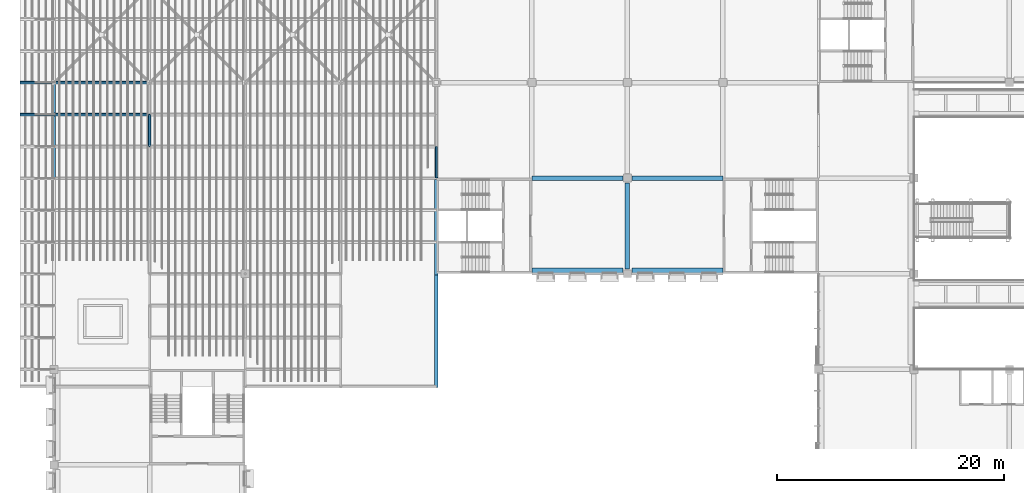
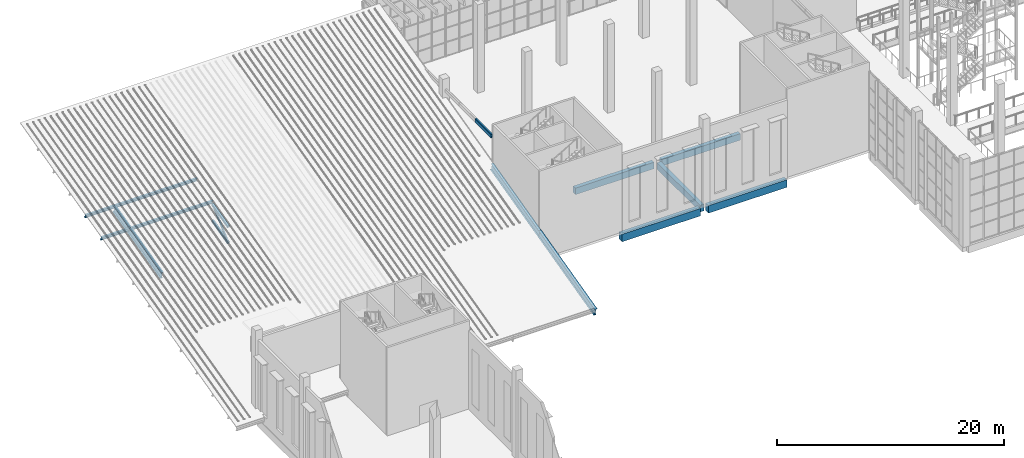
# One storey, part 9 of 114: 8 beams, 8 members.
"""IFC4 building model written with IfcOpenShell, lengths in metres."""

import ifcopenshell
import ifcopenshell.guid

model = None  # the IFC model being written
_history = None  # IfcOwnerHistory: only IFC2X3 demands one
_inside = {}  # id of a spatial element -> (the spatial element, [elements in it])
_under = {}  # id of a project, library or spatial element -> (it, [spatial elements below it])
_declared = {}  # id of a project -> (the project, [libraries it declares])
_typed = {}  # id of a type object -> (the type object, [elements of that type])
_made_of = {}  # id of a material, layer set ... -> (it, [elements and type objects made of it])


def new_model(schema):
    """Start an empty IFC model of exactly this schema.

    Asked for "IFC4X3", IfcOpenShell would pick the latest addendum, in which some entities
    have other attributes; the version numbers below select the first issue.
    IFC2X3 requires an IfcOwnerHistory on every rooted entity: one is made here for all.
    """
    global model, _history
    if schema == "IFC4X3":
        model = ifcopenshell.file(schema_version=(4, 3, 0, 0))
    else:
        model = ifcopenshell.file(schema=schema)
    _inside.clear()
    _under.clear()
    _declared.clear()
    _typed.clear()
    _made_of.clear()
    _history = None
    if model.schema == "IFC2X3":
        org = make("IfcOrganization", Name="unknown")
        user = make(
            "IfcPersonAndOrganization",
            ThePerson=make("IfcPerson", FamilyName="unknown"),
            TheOrganization=org,
        )
        app = make(
            "IfcApplication",
            ApplicationDeveloper=org,
            Version="unknown",
            ApplicationFullName="unknown",
            ApplicationIdentifier="unknown",
        )
        _history = make(
            "IfcOwnerHistory",
            OwningUser=user,
            OwningApplication=app,
            ChangeAction="ADDED",
            CreationDate=0,
        )
    return model


def make(cls, **values):
    """One entity of the class cls with the attributes given. An attribute that is None is left unset."""
    return model.create_entity(
        cls, **{name: value for name, value in values.items() if value is not None}
    )


def rooted(cls, **values):
    """An entity with a GlobalId (a new one), such as an element, a storey or a relation."""
    return make(cls, GlobalId=ifcopenshell.guid.new(), OwnerHistory=_history, **values)


def si_unit(unit_type, name, prefix=None):
    """IfcSIUnit, for example si_unit("LENGTHUNIT", "METRE", prefix="MILLI")."""
    return make("IfcSIUnit", UnitType=unit_type, Prefix=prefix, Name=name)


def assignment(units):
    """IfcUnitAssignment: the units of a project."""
    return None if units is None else make("IfcUnitAssignment", Units=units)


def point(xyz):
    """IfcCartesianPoint."""
    return None if xyz is None else make("IfcCartesianPoint", Coordinates=xyz)


def direction(xyz):
    """IfcDirection."""
    return None if xyz is None else make("IfcDirection", DirectionRatios=xyz)


def frame(location, z_axis=None, x_axis=None):
    """IfcAxis2Placement3D, a coordinate frame: its origin and axes. An axis left out is left unset."""
    return make(
        "IfcAxis2Placement3D",
        Location=point(location),
        Axis=direction(z_axis),
        RefDirection=direction(x_axis),
    )


def frame_2d(location, x_axis=None):
    """IfcAxis2Placement2D, a coordinate frame in the plane: its origin and x axis."""
    return make(
        "IfcAxis2Placement2D", Location=point(location), RefDirection=direction(x_axis)
    )


def origin():
    """The frame at (0, 0, 0) with its axes left unset."""
    return frame((0.0, 0.0, 0.0))


def origin_2d():
    """The frame at (0, 0) in the plane with its x axis left unset."""
    return frame_2d((0.0, 0.0))


def place(relative_to, where):
    """IfcLocalPlacement: puts the frame where relative to a parent placement (None: the world)."""
    return make(
        "IfcLocalPlacement", PlacementRelTo=relative_to, RelativePlacement=where
    )


def context(
    kind, dimensions, precision=None, world=None, true_north=None, identifier=None
):
    """IfcGeometricRepresentationContext, for example the 3D "Model" context."""
    return make(
        "IfcGeometricRepresentationContext",
        ContextIdentifier=identifier,
        ContextType=kind,
        CoordinateSpaceDimension=dimensions,
        Precision=precision,
        WorldCoordinateSystem=world,
        TrueNorth=true_north,
    )


def subcontext(parent, identifier, kind, view, scale=None):
    """IfcGeometricRepresentationSubContext, for example "Body" below "Model"."""
    return make(
        "IfcGeometricRepresentationSubContext",
        ContextIdentifier=identifier,
        ContextType=kind,
        ParentContext=parent,
        TargetScale=scale,
        TargetView=view,
    )


def project(units=None, contexts=None):
    """IfcProject with its units and contexts."""
    return rooted(
        "IfcProject",
        Name="project",
        RepresentationContexts=contexts,
        UnitsInContext=assignment(units),
    )


def spatial(cls, under=None, at=None, **own):
    """A site, building, storey or space (cls), placed at a placement, below another one or the project."""
    s = rooted(cls, ObjectPlacement=at, **own)
    if under is not None:
        _under.setdefault(under.id(), (under, []))[1].append(s)
    return s


def profile(cls, at=None, kind="AREA", **sizes):
    """A parametric profile (cls). Its sizes go by their IFC names, for example OverallWidth=200.0."""
    return make(cls, ProfileType=kind, Position=at, **sizes)


def rectangle(**sizes):
    """IfcRectangleProfileDef."""
    return profile("IfcRectangleProfileDef", **sizes)


def hollow_rectangle(**sizes):
    """IfcRectangleHollowProfileDef."""
    return profile("IfcRectangleHollowProfileDef", **sizes)


def i_section(**sizes):
    """IfcIShapeProfileDef."""
    return profile("IfcIShapeProfileDef", **sizes)


def extrude(swept, where, along, depth):
    """IfcExtrudedAreaSolid: the profile swept, set in the frame where, extruded along a direction by depth."""
    return make(
        "IfcExtrudedAreaSolid",
        SweptArea=swept,
        Position=where,
        ExtrudedDirection=direction(along),
        Depth=depth,
    )


def shape(context_of_items, identifier, shape_type, items):
    """IfcShapeRepresentation: the items that make up one representation, for example the "Body"."""
    return make(
        "IfcShapeRepresentation",
        ContextOfItems=context_of_items,
        RepresentationIdentifier=identifier,
        RepresentationType=shape_type,
        Items=items,
    )


def material(Name=None, Category=None):
    """IfcMaterial."""
    return make("IfcMaterial", Name=Name, Category=Category)


def material_profile(
    of_material, cross_section, Name=None, Category=None, Priority=None
):
    """IfcMaterialProfile: a cross section and its material."""
    return make(
        "IfcMaterialProfile",
        Name=Name,
        Material=of_material,
        Profile=cross_section,
        Priority=Priority,
        Category=Category,
    )


def profile_set(profiles, Name=None, composite=None):
    """IfcMaterialProfileSet."""
    return make(
        "IfcMaterialProfileSet",
        Name=Name,
        MaterialProfiles=profiles,
        CompositeProfile=composite,
    )


def made_of(thing, what):
    """Note that an element or type object is made of a material, layer set ...; save() writes the relation."""
    if what is not None:
        _made_of.setdefault(what.id(), (what, []))[1].append(thing)
    return thing


def type_object(cls, material=None, **own):
    """A type object (cls), such as IfcWallType, which elements share."""
    return made_of(rooted(cls, **own), material)


def element(
    cls,
    number,
    at=None,
    inside=None,
    cuts=None,
    type_object=None,
    material=None,
    context=None,
    identifier="Body",
    shape_type=None,
    held_by="IfcProductDefinitionShape",
    body=None,
    shapes=None,
    **own,
):
    """One element of the class cls, such as IfcWall. Its Tag is "e" and its number.

    at: its placement. inside: the storey or other place that contains it. cuts: it is an
    opening in that element (IfcRelVoidsElement). A single representation is given by context,
    identifier, shape_type and body (its items); several are given by shapes. held_by: the class
    of the entity that holds the representations. save() writes the other relations.
    """
    e = rooted(cls, Tag="e%d" % number, ObjectPlacement=at, **own)
    if body is not None:
        shapes = [shape(context, identifier, shape_type, body)]
    if shapes is not None:
        e.Representation = make(held_by, Representations=shapes)
    if inside is not None:
        _inside.setdefault(inside.id(), (inside, []))[1].append(e)
    if cuts is not None:
        rooted(
            "IfcRelVoidsElement", RelatingBuildingElement=cuts, RelatedOpeningElement=e
        )
    if type_object is not None:
        _typed.setdefault(type_object.id(), (type_object, []))[1].append(e)
    return made_of(e, material)


def aggregate(whole, parts):
    """IfcRelAggregates: a whole, such as a stair, and the parts it consists of."""
    return rooted("IfcRelAggregates", RelatingObject=whole, RelatedObjects=parts)


def save(model, path):
    """Write the relations noted so far, then the file.

    IfcRelAggregates (storeys below a building ...), IfcRelContainedInSpatialStructure (elements
    in a storey), IfcRelDefinesByType, IfcRelAssociatesMaterial and IfcRelDeclares: one each for
    every whole, place, type object, material and project.
    """
    for whole, parts in _under.values():
        aggregate(whole, parts)
    for where, things in _inside.values():
        rooted(
            "IfcRelContainedInSpatialStructure",
            RelatedElements=things,
            RelatingStructure=where,
        )
    for kind, things in _typed.values():
        rooted("IfcRelDefinesByType", RelatedObjects=things, RelatingType=kind)
    for what, things in _made_of.values():
        rooted("IfcRelAssociatesMaterial", RelatedObjects=things, RelatingMaterial=what)
    for by, libraries in _declared.values():
        rooted("IfcRelDeclares", RelatingContext=by, RelatedDefinitions=libraries)
    model.write(path)


model = new_model("IFC4")

# Units and contexts
model_context = context("Model", 3, precision=1e-05, world=origin(), true_north=direction((0.0, 1.0)))
body_context = subcontext(model_context, "Body", "Model", "MODEL_VIEW")
ifc_project = project(units=[si_unit("LENGTHUNIT", "METRE"), si_unit("AREAUNIT", "SQUARE_METRE"), si_unit("VOLUMEUNIT", "CUBIC_METRE"), si_unit("PLANEANGLEUNIT", "RADIAN"), si_unit("MASSUNIT", "GRAM", prefix="KILO")], contexts=[model_context])

# Site, building, storey
site_placement = place(None, origin())
site = spatial("IfcSite", under=ifc_project, at=site_placement, CompositionType="ELEMENT")
building_placement = place(site_placement, origin())
building = spatial("IfcBuilding", under=site, at=building_placement, Name="Almond Square Museum", CompositionType="ELEMENT")
storey_placement = place(building_placement, frame((0.0, 0.0, 10.5)))
storey = spatial("IfcBuildingStorey", under=building, at=storey_placement, Name="L02", CompositionType="ELEMENT", Elevation=10.5)

# Beams
ifc_material_1 = material(Name="Concrete C40/50", Category="concrete")
ifc_material_profile_1 = material_profile(ifc_material_1, rectangle(XDim=0.39990234375, YDim=0.699951171875, at=origin_2d()))
ifc_profile_set_1 = profile_set([ifc_material_profile_1], Name="Concrete C40/50")
beam_type_1 = type_object("IfcBeamType", Name="RC beam 400 x 700 C40/50", PredefinedType="BEAM", material=ifc_profile_set_1)
for number, where, z_axis, x_axis, name in (
    (1, (48.0, 92.39990234375, -0.60009765625), (1.0, 0.0, 0.0), (0.0, 1.0, 0.0), "Beam L 7-8 L02"),
    (2, (56.800048828125, 92.39990234375, -0.60009765625), (1.0, 0.0, 0.0), (0.0, 1.0, 0.0), "Beam L 8-9 L02"),
):
    element("IfcBeam", number, at=place(storey_placement, frame(where, z_axis=z_axis, x_axis=x_axis)), inside=storey, type_object=beam_type_1, Name=name, PredefinedType="BEAM", context=body_context, shape_type="SweptSolid", body=[
        extrude(rectangle(XDim=0.39990234375, YDim=0.699951171875, at=origin_2d()), origin(), (0.0, 0.0, 1.0), 8.0),
    ])
beam_1_placement = place(storey_placement, frame((56.39990234375, 84.39990234375, -0.60009765625), z_axis=(0.0, 1.0, 0.0), x_axis=(-1.0, 0.0, 0.0)))
element("IfcBeam", 3, at=beam_1_placement, inside=storey, type_object=beam_type_1, Name="Beam 8 K-L L02", PredefinedType="BEAM", context=body_context, shape_type="SweptSolid", body=[
    extrude(rectangle(XDim=0.39990234375, YDim=0.699951171875, at=origin_2d()), origin(), (0.0, 0.0, 1.0), 7.60009765625),
])
ifc_material_2 = material(Name="Concrete C40/50", Category="concrete")
ifc_material_profile_2 = material_profile(ifc_material_2, rectangle(XDim=0.5, YDim=0.800048828125, at=origin_2d()))
ifc_profile_set_2 = profile_set([ifc_material_profile_2], Name="Concrete C40/50")
beam_type_2 = type_object("IfcBeamType", Name="RC edge beam 500 x 800 C40/50", PredefinedType="BEAM", material=ifc_profile_set_2)
for number, where, z_axis, x_axis, name in (
    (4, (48.0, 84.25, -0.64990234375), (1.0, 0.0, 0.0), (0.0, 1.0, 0.0), "Edge beam K 7-8 L02"),
    (5, (56.800048828125, 84.25, -0.64990234375), (1.0, 0.0, 0.0), (0.0, 1.0, 0.0), "Edge beam K 8-9 L02"),
):
    element("IfcBeam", number, at=place(storey_placement, frame(where, z_axis=z_axis, x_axis=x_axis)), inside=storey, type_object=beam_type_2, Name=name, PredefinedType="BEAM", context=body_context, shape_type="SweptSolid", body=[
        extrude(rectangle(XDim=0.5, YDim=0.800048828125, at=origin_2d()), origin(), (0.0, 0.0, 1.0), 8.0),
    ])
ifc_material_3 = material(Name="Structural steel S355", Category="steel")
ifc_material_profile_3 = material_profile(ifc_material_3, i_section(OverallWidth=0.26708984375, OverallDepth=0.75390625, WebThickness=0.01318359375, FlangeThickness=0.01708984375, at=origin_2d()))
ifc_profile_set_3 = profile_set([ifc_material_profile_3], Name="Structural steel S355")
beam_type_3 = type_object("IfcBeamType", Name="Roof beam W760x147", PredefinedType="BEAM", material=ifc_profile_set_3)
beam_2_placement = place(storey_placement, frame((6.0, 92.39990234375, 4.9580078125), z_axis=(0.0, 0.969460822902, 0.245246229039), x_axis=(-1.0, 0.0, 0.0)))
element("IfcBeam", 6, at=beam_2_placement, inside=storey, type_object=beam_type_3, Name="Auditorium edge beam 1.3", PredefinedType="BEAM", context=body_context, shape_type="SweptSolid", body=[
    extrude(i_section(OverallWidth=0.26708984375, OverallDepth=0.75390625, WebThickness=0.01318359375, FlangeThickness=0.01708984375, at=origin_2d()), origin(), (0.0, 0.0, 1.0), 8.664794921875),
])
beam_3_placement = place(storey_placement, frame((39.60009765625, 74.10009765625, 0.32861328125), z_axis=(0.0, 0.969460854952, 0.245246102345), x_axis=(-1.0, 0.0, 0.0)))
element("IfcBeam", 7, at=beam_3_placement, inside=storey, type_object=beam_type_3, Name="Auditorium edge beam 2.1", PredefinedType="BEAM", context=body_context, shape_type="SweptSolid", body=[
    extrude(i_section(OverallWidth=0.26708984375, OverallDepth=0.75390625, WebThickness=0.01318359375, FlangeThickness=0.01708984375, at=origin_2d()), origin(), (0.0, 0.0, 1.0), 10.211669921875),
])
beam_4_placement = place(storey_placement, frame((39.60009765625, 84.0, 2.8330078125), z_axis=(0.0, 0.969459128151, 0.24525292831), x_axis=(-1.0, 0.0, 0.0)))
element("IfcBeam", 8, at=beam_4_placement, inside=storey, type_object=beam_type_3, Name="Auditorium edge beam 2.2", PredefinedType="BEAM", context=body_context, shape_type="SweptSolid", body=[
    extrude(i_section(OverallWidth=0.26708984375, OverallDepth=0.75390625, WebThickness=0.01318359375, FlangeThickness=0.01708984375, at=origin_2d()), origin(), (0.0, 0.0, 1.0), 8.66455078125),
])

# Members
ifc_material_4 = material(Name="Structural steel S355", Category="steel")
ifc_material_profile_4 = material_profile(ifc_material_4, i_section(OverallWidth=0.1708984375, OverallDepth=0.35595703125, WebThickness=0.00732421875, FlangeThickness=0.01171875, at=origin_2d()))
ifc_profile_set_4 = profile_set([ifc_material_profile_4], Name="Structural steel S355")
member_type_1 = type_object("IfcMemberType", Name="Steel purlin W360x51", PredefinedType="PURLIN", material=ifc_profile_set_4)
for number, where, z_axis, x_axis, name in (
    (9, (6.0, 98.0, 6.579833984375), (1.0, 0.0, 0.0), (0.0, 0.969459905022, 0.245249857402), "Auditorium purlin 10.1"),
    (10, (6.0, 100.800048828125, 7.2880859375), (1.0, 0.0, 0.0), (0.0, 0.969459905022, 0.245249857402), "Auditorium purlin 11.1"),
):
    element("IfcMember", number, at=place(storey_placement, frame(where, z_axis=z_axis, x_axis=x_axis)), inside=storey, type_object=member_type_1, Name=name, PredefinedType="PURLIN", context=body_context, shape_type="SweptSolid", body=[
        extrude(i_section(OverallWidth=0.1708984375, OverallDepth=0.35595703125, WebThickness=0.00732421875, FlangeThickness=0.01171875, at=origin_2d()), origin(), (0.0, 0.0, 1.0), 8.39990234375),
    ])
for number, where, z_axis, x_axis, name in (
    (11, (3.0, 98.0, 6.579833984375), (1.0, 0.0, 0.0), (0.0, 0.969459905022, 0.245249857402), "Auditorium west eave purlin 10"),
    (12, (3.0, 100.800048828125, 7.2880859375), (1.0, 0.0, 0.0), (0.0, 0.969459905022, 0.245249857402), "Auditorium west eave purlin 11"),
):
    element("IfcMember", number, at=place(storey_placement, frame(where, z_axis=z_axis, x_axis=x_axis)), inside=storey, type_object=member_type_1, Name=name, PredefinedType="PURLIN", context=body_context, shape_type="SweptSolid", body=[
        extrude(i_section(OverallWidth=0.1708984375, OverallDepth=0.35595703125, WebThickness=0.00732421875, FlangeThickness=0.01171875, at=origin_2d()), origin(), (0.0, 0.0, 1.0), 3.0),
    ])
ifc_material_5 = material(Name="Structural steel S355", Category="steel")
ifc_material_profile_5 = material_profile(ifc_material_5, hollow_rectangle(XDim=0.199951171875, YDim=0.39990234375, WallThickness=0.012451171875, InnerFilletRadius=0.02490234375, OuterFilletRadius=0.03759765625, at=origin_2d()))
ifc_profile_set_5 = profile_set([ifc_material_profile_5], Name="Structural steel S355")
member_type_2 = type_object("IfcMemberType", Name="Truss chord RHS 400x200x12.5", PredefinedType="CHORD", material=ifc_profile_set_5)
member_1_placement = place(storey_placement, frame((39.60009765625, 92.39990234375, 8.199951171875), z_axis=(0.0, 1.0, 0.0), x_axis=(-1.0, 0.0, 0.0)))
element("IfcMember", 13, at=member_1_placement, inside=storey, type_object=member_type_2, Name="TR-16 top chord 1", PredefinedType="CHORD", context=body_context, shape_type="SweptSolid", body=[
    extrude(hollow_rectangle(XDim=0.199951171875, YDim=0.39990234375, WallThickness=0.012451171875, InnerFilletRadius=0.02490234375, OuterFilletRadius=0.03759765625, at=origin_2d()), origin(), (0.0, 0.0, 1.0), 2.800048828125),
])
ifc_material_6 = material(Name="Structural steel S355", Category="steel")
ifc_material_profile_6 = material_profile(ifc_material_6, hollow_rectangle(XDim=0.25, YDim=0.25, WallThickness=0.012451171875, InnerFilletRadius=0.02490234375, OuterFilletRadius=0.03759765625, at=origin_2d()))
ifc_profile_set_6 = profile_set([ifc_material_profile_6], Name="Structural steel S355")
member_type_3 = type_object("IfcMemberType", Name="Truss chord SHS 250x250x12.5", PredefinedType="CHORD", material=ifc_profile_set_6)
for number, where, z_axis, x_axis, name in (
    (14, (14.39990234375, 95.199951171875, 5.56298828125), (0.0, 0.969467521681, 0.245219747179), (-1.0, 0.0, 0.0), "TR-13 top chord 8"),
    (15, (14.39990234375, 95.199951171875, 3.81298828125), (0.0, 0.969467521681, 0.245219747179), (-1.0, 0.0, 0.0), "TR-13 bottom chord 8"),
):
    element("IfcMember", number, at=place(storey_placement, frame(where, z_axis=z_axis, x_axis=x_axis)), inside=storey, type_object=member_type_3, Name=name, PredefinedType="CHORD", context=body_context, shape_type="SweptSolid", body=[
        extrude(hollow_rectangle(XDim=0.25, YDim=0.25, WallThickness=0.012451171875, InnerFilletRadius=0.02490234375, OuterFilletRadius=0.03759765625, at=origin_2d()), origin(), (0.0, 0.0, 1.0), 2.88818359375),
    ])
ifc_material_7 = material(Name="Structural steel S355", Category="steel")
ifc_material_profile_7 = material_profile(ifc_material_7, hollow_rectangle(XDim=0.14990234375, YDim=0.14990234375, WallThickness=0.008056640625, InnerFilletRadius=0.011962890625, OuterFilletRadius=0.02001953125, at=origin_2d()))
ifc_profile_set_7 = profile_set([ifc_material_profile_7], Name="Structural steel S355")
member_type_4 = type_object("IfcMemberType", Name="Truss diagonal SHS 150x150x8", PredefinedType="BRACE", material=ifc_profile_set_7)
member_2_placement = place(storey_placement, frame((14.39990234375, 95.199951171875, 3.81298828125), z_axis=(0.0, 0.751483802729, 0.659751539775), x_axis=(-1.0, 0.0, 0.0)))
element("IfcMember", 16, at=member_2_placement, inside=storey, type_object=member_type_4, Name="TR-13 diagonal 8", PredefinedType="BRACE", context=body_context, shape_type="SweptSolid", body=[
    extrude(hollow_rectangle(XDim=0.14990234375, YDim=0.14990234375, WallThickness=0.008056640625, InnerFilletRadius=0.011962890625, OuterFilletRadius=0.02001953125, at=origin_2d()), origin(), (0.0, 0.0, 1.0), 3.72607421875),
])

save(model, "model.ifc")
